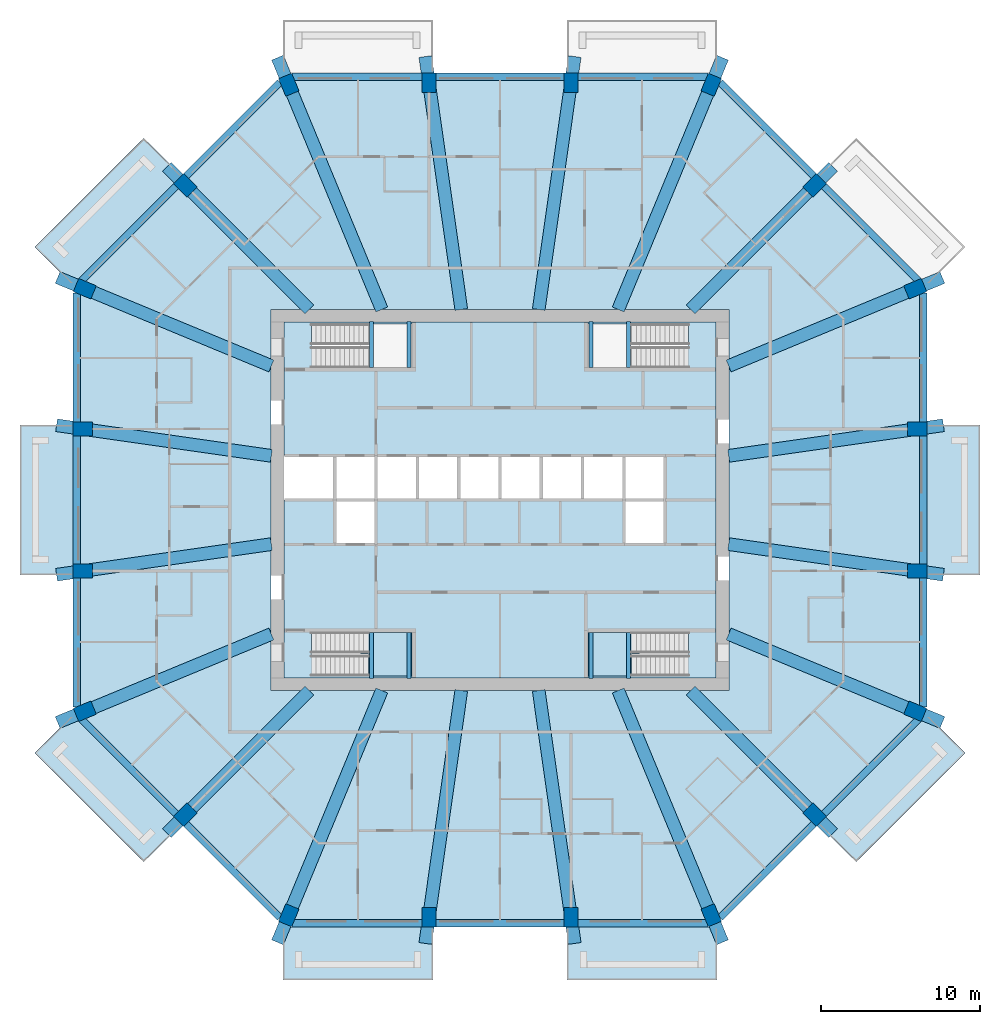
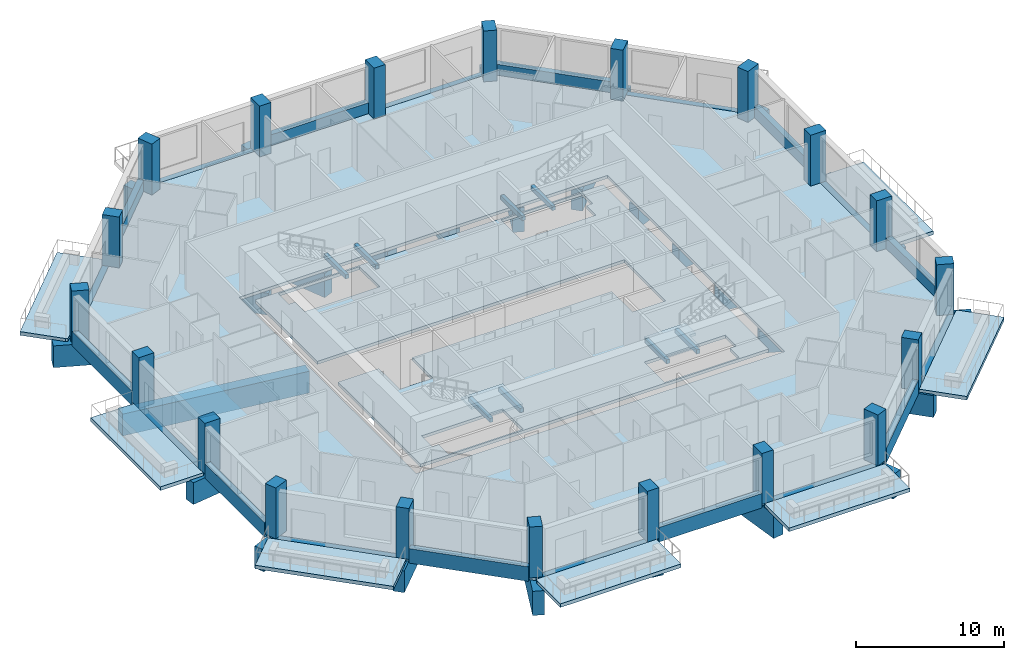
# One storey, part 1 of 13: 48 beams, 20 columns, 11 slabs, 2 elements without a shape of their own.
"""IFC4 building model written with IfcOpenShell, lengths in metres."""

from ifc_helpers import new_model, si_unit, direction, frame, origin, origin_2d, place, context, subcontext, project, spatial, polyline, rectangle, outline, extrude, material, layer, layer_set, material_profile, profile_set, type_object, element, aggregate, save


model = new_model("IFC4")

# Units and contexts
model_context = context("Model", 3, precision=1e-05, world=origin(), true_north=direction((0.0, 1.0)))
body_context = subcontext(model_context, "Body", "Model", "MODEL_VIEW")
ifc_project = project(units=[si_unit("LENGTHUNIT", "METRE"), si_unit("AREAUNIT", "SQUARE_METRE"), si_unit("VOLUMEUNIT", "CUBIC_METRE"), si_unit("PLANEANGLEUNIT", "RADIAN"), si_unit("MASSUNIT", "GRAM", prefix="KILO")], contexts=[model_context])

# Site, building, storey
site_placement = place(None, origin())
site = spatial("IfcSite", under=ifc_project, at=site_placement, CompositionType="ELEMENT")
building_placement = place(site_placement, origin())
building = spatial("IfcBuilding", under=site, at=building_placement, Name="Msitu Wima Residences", CompositionType="ELEMENT")
storey_placement = place(building_placement, frame((0.0, 0.0, 106.5)))
storey = spatial("IfcBuildingStorey", under=building, at=storey_placement, Name="L24", CompositionType="ELEMENT", Elevation=106.5)

# Columns
ifc_material_1 = material(Name="Concrete C70/85", Category="concrete")
ifc_material_profile_1 = material_profile(ifc_material_1, rectangle(XDim=0.89990234375, YDim=1.199951171875, at=origin_2d()), Name="RC 900x1200")
ifc_profile_set_1 = profile_set([ifc_material_profile_1], Name="Concrete C70/85")
column_type = type_object("IfcColumnType", Name="Column RC 900x1200 Concrete C70/85", PredefinedType="COLUMN", material=ifc_profile_set_1)
for number, where, z_axis, x_axis, name in (
    (1, (26.12353515625, -13.291259765625, 0.0), (0.0, 0.0, 1.0), (0.382683496864, 0.923879505795, 0.0), "Column L24 C-E0"),
    (2, (26.25, -4.46875, 0.0), (0.0, 0.0, 1.0), (0.0, 1.0, 0.0), "Column L24 C-E1"),
    (3, (26.25, 4.46875, 0.0), (0.0, 0.0, 1.0), (0.0, 1.0, 0.0), "Column L24 C-E2"),
    (4, (26.12353515625, 13.291259765625, 0.0), (0.0, 0.0, 1.0), (-0.382683496864, 0.923879505795, 0.0), "Column L24 C-NE0"),
    (5, (19.796875, 19.796875, 0.0), (0.0, 0.0, 1.0), (-0.707106781187, 0.707106781187, 0.0), "Column L24 C-NE1"),
    (6, (13.291259765625, 26.12353515625, 0.0), (0.0, 0.0, 1.0), (-0.923879505795, 0.382683496864, 0.0), "Column L24 C-N0"),
    (7, (4.46875, 26.25, 0.0), (0.0, 0.0, 1.0), (-1.0, 0.0, 0.0), "Column L24 C-N1"),
    (8, (-4.46875, 26.25, 0.0), (0.0, 0.0, 1.0), (-1.0, 0.0, 0.0), "Column L24 C-N2"),
    (9, (-13.291259765625, 26.12353515625, 0.0), (0.0, 0.0, 1.0), (-0.923879505795, -0.382683496864, 0.0), "Column L24 C-NW0"),
    (10, (-19.796875, 19.796875, 0.0), (0.0, 0.0, 1.0), (-0.707106781187, -0.707106781187, 0.0), "Column L24 C-NW1"),
    (11, (-26.12353515625, 13.291259765625, 0.0), (0.0, 0.0, 1.0), (-0.382683496864, -0.923879505795, 0.0), "Column L24 C-W0"),
    (12, (-26.25, 4.46875, 0.0), (0.0, 0.0, 1.0), (0.0, -1.0, 0.0), "Column L24 C-W1"),
    (13, (-26.25, -4.46875, 0.0), (0.0, 0.0, 1.0), (0.0, -1.0, 0.0), "Column L24 C-W2"),
    (14, (-26.12353515625, -13.291259765625, 0.0), (0.0, 0.0, 1.0), (0.382683496864, -0.923879505795, 0.0), "Column L24 C-SW0"),
    (15, (-19.796875, -19.796875, 0.0), (0.0, 0.0, 1.0), (0.707106781187, -0.707106781187, 0.0), "Column L24 C-SW1"),
    (16, (-13.291259765625, -26.12353515625, 0.0), (0.0, 0.0, 1.0), (0.923879505795, -0.382683496864, 0.0), "Column L24 C-S0"),
    (17, (-4.46875, -26.25, 0.0), (0.0, 0.0, 1.0), (1.0, 0.0, 0.0), "Column L24 C-S1"),
    (18, (4.46875, -26.25, 0.0), (0.0, 0.0, 1.0), (1.0, 0.0, 0.0), "Column L24 C-S2"),
    (19, (13.291259765625, -26.12353515625, 0.0), (0.0, 0.0, 1.0), (0.923879505795, 0.382683496864, 0.0), "Column L24 C-SE0"),
    (20, (19.796875, -19.796875, 0.0), (0.0, 0.0, 1.0), (0.707106781187, 0.707106781187, 0.0), "Column L24 C-SE1"),
):
    element("IfcColumn", number, at=place(storey_placement, frame(where, z_axis=z_axis, x_axis=x_axis)), inside=storey, type_object=column_type, Name=name, PredefinedType="COLUMN", context=body_context, shape_type="SweptSolid", body=[
        extrude(rectangle(XDim=0.89990234375, YDim=1.199951171875, at=origin_2d()), origin(), (0.0, 0.0, 1.0), 4.199951171875),
    ])

# Beams
ifc_material_2 = material(Name="Concrete C50/60", Category="concrete")
ifc_material_profile_2 = material_profile(ifc_material_2, rectangle(XDim=0.449951171875, YDim=0.300048828125, at=origin_2d()), Name="RC 450x300")
ifc_profile_set_2 = profile_set([ifc_material_profile_2], Name="Concrete C50/60")
beam_type_1 = type_object("IfcBeamType", Name="Edge beam RC 450x300 Concrete C50/60", PredefinedType="SPANDREL", material=ifc_profile_set_2)
beam_1_placement = place(storey_placement, frame((26.625, -4.130126953125, -0.14990234375), z_axis=(0.0, 1.0, 0.0), x_axis=(-1.0, 0.0, 0.0)))
element("IfcBeam", 21, at=beam_1_placement, inside=storey, type_object=beam_type_1, Name="Spandrel L24 E1", PredefinedType="SPANDREL", context=body_context, shape_type="SweptSolid", body=[
    extrude(rectangle(XDim=0.449951171875, YDim=0.300048828125, at=origin_2d()), origin(), (0.0, 0.0, 1.0), 8.26025390625),
])
beam_2_placement = place(storey_placement, frame((26.327392578125, 13.796630859375, -0.14990234375), z_axis=(-0.707106781187, 0.707106781187, 0.0), x_axis=(-0.707106781187, -0.707106781187, 0.0)))
element("IfcBeam", 22, at=beam_2_placement, inside=storey, type_object=beam_type_1, Name="Spandrel L24 NE0", PredefinedType="SPANDREL", context=body_context, shape_type="SweptSolid", body=[
    extrude(rectangle(XDim=0.449951171875, YDim=0.300048828125, at=origin_2d()), origin(), (0.0, 0.0, 1.0), 8.472412109375),
])
for number, where, z_axis, x_axis, name in (
    (23, (13.078125, 26.625, -0.14990234375), (-1.0, 0.0, 0.0), (0.0, -1.0, 0.0), "Spandrel L24 N0"),
    (24, (-4.918701171875, 26.625, -0.14990234375), (-1.0, 0.0, 0.0), (0.0, -1.0, 0.0), "Spandrel L24 N2"),
):
    element("IfcBeam", number, at=place(storey_placement, frame(where, z_axis=z_axis, x_axis=x_axis)), inside=storey, type_object=beam_type_1, Name=name, PredefinedType="SPANDREL", context=body_context, shape_type="SweptSolid", body=[
        extrude(rectangle(XDim=0.449951171875, YDim=0.300048828125, at=origin_2d()), origin(), (0.0, 0.0, 1.0), 8.159423828125),
    ])
beam_3_placement = place(storey_placement, frame((-20.33642578125, 19.78759765625, -0.14990234375), z_axis=(-0.707106781187, -0.707106781187, 0.0), x_axis=(0.707106781187, -0.707106781187, 0.0)))
element("IfcBeam", 25, at=beam_3_placement, inside=storey, type_object=beam_type_1, Name="Spandrel L24 NW1", PredefinedType="SPANDREL", context=body_context, shape_type="SweptSolid", body=[
    extrude(rectangle(XDim=0.449951171875, YDim=0.300048828125, at=origin_2d()), origin(), (0.0, 0.0, 1.0), 8.472412109375),
])
beam_4_placement = place(storey_placement, frame((-26.625, 4.130126953125, -0.14990234375), z_axis=(0.0, -1.0, 0.0), x_axis=(1.0, 0.0, 0.0)))
element("IfcBeam", 26, at=beam_4_placement, inside=storey, type_object=beam_type_1, Name="Spandrel L24 W1", PredefinedType="SPANDREL", context=body_context, shape_type="SweptSolid", body=[
    extrude(rectangle(XDim=0.449951171875, YDim=0.300048828125, at=origin_2d()), origin(), (0.0, 0.0, 1.0), 8.26025390625),
])
beam_5_placement = place(storey_placement, frame((-26.327392578125, -13.796630859375, -0.14990234375), z_axis=(0.707106781187, -0.707106781187, 0.0), x_axis=(0.707106781187, 0.707106781187, 0.0)))
element("IfcBeam", 27, at=beam_5_placement, inside=storey, type_object=beam_type_1, Name="Spandrel L24 SW0", PredefinedType="SPANDREL", context=body_context, shape_type="SweptSolid", body=[
    extrude(rectangle(XDim=0.449951171875, YDim=0.300048828125, at=origin_2d()), origin(), (0.0, 0.0, 1.0), 8.472412109375),
])
for number, where, z_axis, x_axis, name in (
    (28, (-13.078125, -26.625, -0.14990234375), (1.0, 0.0, 0.0), (0.0, 1.0, 0.0), "Spandrel L24 S0"),
    (29, (4.918701171875, -26.625, -0.14990234375), (1.0, 0.0, 0.0), (0.0, 1.0, 0.0), "Spandrel L24 S2"),
):
    element("IfcBeam", number, at=place(storey_placement, frame(where, z_axis=z_axis, x_axis=x_axis)), inside=storey, type_object=beam_type_1, Name=name, PredefinedType="SPANDREL", context=body_context, shape_type="SweptSolid", body=[
        extrude(rectangle(XDim=0.449951171875, YDim=0.300048828125, at=origin_2d()), origin(), (0.0, 0.0, 1.0), 8.159423828125),
    ])
beam_6_placement = place(storey_placement, frame((20.33642578125, -19.78759765625, -0.14990234375), z_axis=(0.707106781187, 0.707106781187, 0.0), x_axis=(-0.707106781187, 0.707106781187, 0.0)))
element("IfcBeam", 30, at=beam_6_placement, inside=storey, type_object=beam_type_1, Name="Spandrel L24 SE1", PredefinedType="SPANDREL", context=body_context, shape_type="SweptSolid", body=[
    extrude(rectangle(XDim=0.449951171875, YDim=0.300048828125, at=origin_2d()), origin(), (0.0, 0.0, 1.0), 8.472412109375),
])
ifc_material_3 = material(Name="Concrete C40/50", Category="concrete")
ifc_material_profile_3 = material_profile(ifc_material_3, rectangle(XDim=0.25, YDim=0.35009765625, at=origin_2d()), Name="RC 250x350")
ifc_profile_set_3 = profile_set([ifc_material_profile_3], Name="Concrete C40/50")
beam_type_2 = type_object("IfcBeamType", Name="Landing beam RC 250x350", PredefinedType="BEAM", material=ifc_profile_set_3)
for number, where, z_axis, x_axis, name in (
    (31, (-8.074951171875, 8.324951171875, 1.72509765625), (0.0, 1.0, 0.0), (-1.0, 0.0, 0.0), "Stair 1 landing beam"),
    (32, (-5.72509765625, 8.324951171875, 1.72509765625), (0.0, 1.0, 0.0), (-1.0, 0.0, 0.0), "Stair 1 landing beam"),
    (33, (-8.074951171875, -11.22509765625, 1.72509765625), (0.0, 1.0, 0.0), (-1.0, 0.0, 0.0), "Stair 2 landing beam"),
    (34, (-5.72509765625, -11.22509765625, 1.72509765625), (0.0, 1.0, 0.0), (-1.0, 0.0, 0.0), "Stair 2 landing beam"),
    (35, (8.074951171875, 8.324951171875, 1.72509765625), (0.0, 1.0, 0.0), (-1.0, 0.0, 0.0), "Stair 3 landing beam"),
    (36, (5.72509765625, 8.324951171875, 1.72509765625), (0.0, 1.0, 0.0), (-1.0, 0.0, 0.0), "Stair 3 landing beam"),
    (37, (8.074951171875, -11.22509765625, 1.72509765625), (0.0, 1.0, 0.0), (-1.0, 0.0, 0.0), "Stair 4 landing beam"),
    (38, (5.72509765625, -11.22509765625, 1.72509765625), (0.0, 1.0, 0.0), (-1.0, 0.0, 0.0), "Stair 4 landing beam"),
):
    element("IfcBeam", number, at=place(storey_placement, frame(where, z_axis=z_axis, x_axis=x_axis)), inside=storey, type_object=beam_type_2, Name=name, PredefinedType="BEAM", context=body_context, shape_type="SweptSolid", body=[
        extrude(rectangle(XDim=0.25, YDim=0.35009765625, at=origin_2d()), origin(), (0.0, 0.0, 1.0), 2.900146484375),
    ])
ifc_material_profile_4 = material_profile(ifc_material_2, rectangle(XDim=0.449951171875, YDim=1.199951171875, at=origin_2d()), Name="RC 450x1200")
ifc_profile_set_4 = profile_set([ifc_material_profile_4], Name="Concrete C50/60")
beam_type_3 = type_object("IfcBeamType", Name="Spandrel RC 450x1200 Concrete C50/60", PredefinedType="SPANDREL", material=ifc_profile_set_4)
for number, where, z_axis, x_axis, name in (
    (39, (26.625, -13.02392578125, 0.300048828125), (0.0, 1.0, 0.0), (-1.0, 0.0, 0.0), "Spandrel L24 E0"),
    (40, (26.625, 4.918701171875, 0.300048828125), (0.0, 1.0, 0.0), (-1.0, 0.0, 0.0), "Spandrel L24 E2"),
):
    element("IfcBeam", number, at=place(storey_placement, frame(where, z_axis=z_axis, x_axis=x_axis)), inside=storey, type_object=beam_type_3, Name=name, PredefinedType="SPANDREL", context=body_context, shape_type="SweptSolid", body=[
        extrude(rectangle(XDim=0.449951171875, YDim=1.199951171875, at=origin_2d()), origin(), (0.0, 0.0, 1.0), 8.105224609375),
    ])
beam_7_placement = place(storey_placement, frame((19.743896484375, 20.380126953125, 0.300048828125), z_axis=(-0.707106781187, 0.707106781187, 0.0), x_axis=(-0.707106781187, -0.707106781187, 0.0)))
element("IfcBeam", 41, at=beam_7_placement, inside=storey, type_object=beam_type_3, Name="Spandrel L24 NE1", PredefinedType="SPANDREL", context=body_context, shape_type="SweptSolid", body=[
    extrude(rectangle(XDim=0.449951171875, YDim=1.199951171875, at=origin_2d()), origin(), (0.0, 0.0, 1.0), 8.3564453125),
])
beam_8_placement = place(storey_placement, frame((4.0185546875, 26.625, 0.300048828125), z_axis=(-1.0, 0.0, 0.0), x_axis=(0.0, -1.0, 0.0)))
element("IfcBeam", 42, at=beam_8_placement, inside=storey, type_object=beam_type_3, Name="Spandrel L24 N1", PredefinedType="SPANDREL", context=body_context, shape_type="SweptSolid", body=[
    extrude(rectangle(XDim=0.449951171875, YDim=1.199951171875, at=origin_2d()), origin(), (0.0, 0.0, 1.0), 8.037109375),
])
beam_9_placement = place(storey_placement, frame((-13.8349609375, 26.2890625, 0.300048828125), z_axis=(-0.707106781187, -0.707106781187, 0.0), x_axis=(0.707106781187, -0.707106781187, 0.0)))
element("IfcBeam", 43, at=beam_9_placement, inside=storey, type_object=beam_type_3, Name="Spandrel L24 NW0", PredefinedType="SPANDREL", context=body_context, shape_type="SweptSolid", body=[
    extrude(rectangle(XDim=0.449951171875, YDim=1.199951171875, at=origin_2d()), origin(), (0.0, 0.0, 1.0), 8.3564453125),
])
for number, where, z_axis, x_axis, name in (
    (44, (-26.625, 13.02392578125, 0.300048828125), (0.0, -1.0, 0.0), (1.0, 0.0, 0.0), "Spandrel L24 W0"),
    (45, (-26.625, -4.918701171875, 0.300048828125), (0.0, -1.0, 0.0), (1.0, 0.0, 0.0), "Spandrel L24 W2"),
):
    element("IfcBeam", number, at=place(storey_placement, frame(where, z_axis=z_axis, x_axis=x_axis)), inside=storey, type_object=beam_type_3, Name=name, PredefinedType="SPANDREL", context=body_context, shape_type="SweptSolid", body=[
        extrude(rectangle(XDim=0.449951171875, YDim=1.199951171875, at=origin_2d()), origin(), (0.0, 0.0, 1.0), 8.105224609375),
    ])
beam_10_placement = place(storey_placement, frame((-19.743896484375, -20.380126953125, 0.300048828125), z_axis=(0.707106781187, -0.707106781187, 0.0), x_axis=(0.707106781187, 0.707106781187, 0.0)))
element("IfcBeam", 46, at=beam_10_placement, inside=storey, type_object=beam_type_3, Name="Spandrel L24 SW1", PredefinedType="SPANDREL", context=body_context, shape_type="SweptSolid", body=[
    extrude(rectangle(XDim=0.449951171875, YDim=1.199951171875, at=origin_2d()), origin(), (0.0, 0.0, 1.0), 8.3564453125),
])
beam_11_placement = place(storey_placement, frame((-4.0185546875, -26.625, 0.300048828125), z_axis=(1.0, 0.0, 0.0), x_axis=(0.0, 1.0, 0.0)))
element("IfcBeam", 47, at=beam_11_placement, inside=storey, type_object=beam_type_3, Name="Spandrel L24 S1", PredefinedType="SPANDREL", context=body_context, shape_type="SweptSolid", body=[
    extrude(rectangle(XDim=0.449951171875, YDim=1.199951171875, at=origin_2d()), origin(), (0.0, 0.0, 1.0), 8.037109375),
])
beam_12_placement = place(storey_placement, frame((13.8349609375, -26.2890625, 0.300048828125), z_axis=(0.707106781187, 0.707106781187, 0.0), x_axis=(-0.707106781187, 0.707106781187, 0.0)))
element("IfcBeam", 48, at=beam_12_placement, inside=storey, type_object=beam_type_3, Name="Spandrel L24 SE0", PredefinedType="SPANDREL", context=body_context, shape_type="SweptSolid", body=[
    extrude(rectangle(XDim=0.449951171875, YDim=1.199951171875, at=origin_2d()), origin(), (0.0, 0.0, 1.0), 8.3564453125),
])
ifc_material_4 = material(Name="Concrete C80/95", Category="concrete")
ifc_material_profile_5 = material_profile(ifc_material_4, rectangle(XDim=0.800048828125, YDim=1.800048828125, at=origin_2d()), Name="RC 800x1800")
ifc_profile_set_5 = profile_set([ifc_material_profile_5], Name="Concrete C80/95")
beam_type_4 = type_object("IfcBeamType", Name="Transfer girder TG1 RC 800x1800 Concrete C80/95", PredefinedType="BEAM", material=ifc_profile_set_5)
beam_13_placement = place(storey_placement, frame((27.83056640625, -13.99853515625, -1.14990234375), z_axis=(-0.923875712389, 0.382692654826, 0.0), x_axis=(-0.382692654826, -0.923875712389, 0.0)))
element("IfcBeam", 49, at=beam_13_placement, inside=storey, type_object=beam_type_4, Name="Transfer girder L24 C-E0", PredefinedType="BEAM", context=body_context, shape_type="SweptSolid", body=[
    extrude(rectangle(XDim=0.800048828125, YDim=1.800048828125, at=origin_2d()), origin(), (0.0, 0.0, 1.0), 14.54931640625),
])
for number, where, z_axis, x_axis, name in (
    (50, (27.89990234375, -4.703857421875, -1.14990234375), (-0.989995235124, 0.141100795292, 0.0), (-0.141100795292, -0.989995235124, 0.0), "Transfer girder L24 C-E1"),
    (51, (27.89990234375, 4.703857421875, -1.14990234375), (-0.989995235124, -0.141100795292, 0.0), (0.141100795292, -0.989995235124, 0.0), "Transfer girder L24 C-E2"),
):
    element("IfcBeam", number, at=place(storey_placement, frame(where, z_axis=z_axis, x_axis=x_axis)), inside=storey, type_object=beam_type_4, Name=name, PredefinedType="BEAM", context=body_context, shape_type="SweptSolid", body=[
        extrude(rectangle(XDim=0.800048828125, YDim=1.800048828125, at=origin_2d()), origin(), (0.0, 0.0, 1.0), 13.648193359375),
    ])
beam_14_placement = place(storey_placement, frame((27.83056640625, 13.99853515625, -1.14990234375), z_axis=(-0.923875712389, -0.382692654826, 0.0), x_axis=(0.382692654826, -0.923875712389, 0.0)))
element("IfcBeam", 52, at=beam_14_placement, inside=storey, type_object=beam_type_4, Name="Transfer girder L24 C-NE0", PredefinedType="BEAM", context=body_context, shape_type="SweptSolid", body=[
    extrude(rectangle(XDim=0.800048828125, YDim=1.800048828125, at=origin_2d()), origin(), (0.0, 0.0, 1.0), 14.54931640625),
])
for number, where, z_axis, x_axis, name in (
    (53, (20.963623046875, 20.963623046875, -1.14990234375), (-0.707106781187, -0.707106781187, 0.0), (0.707106781187, -0.707106781187, 0.0), "Transfer girder L24 C-NE1"),
    (54, (-20.963623046875, 20.963623046875, -1.14990234375), (0.707106781187, -0.707106781187, 0.0), (0.707106781187, 0.707106781187, 0.0), "Transfer girder L24 C-NW1"),
):
    element("IfcBeam", number, at=place(storey_placement, frame(where, z_axis=z_axis, x_axis=x_axis)), inside=storey, type_object=beam_type_4, Name=name, PredefinedType="BEAM", context=body_context, shape_type="SweptSolid", body=[
        extrude(rectangle(XDim=0.800048828125, YDim=1.800048828125, at=origin_2d()), origin(), (0.0, 0.0, 1.0), 12.6884765625),
    ])
beam_15_placement = place(storey_placement, frame((-27.83056640625, 13.99853515625, -1.14990234375), z_axis=(0.923875712389, -0.382692654826, 0.0), x_axis=(0.382692654826, 0.923875712389, 0.0)))
element("IfcBeam", 55, at=beam_15_placement, inside=storey, type_object=beam_type_4, Name="Transfer girder L24 C-W0", PredefinedType="BEAM", context=body_context, shape_type="SweptSolid", body=[
    extrude(rectangle(XDim=0.800048828125, YDim=1.800048828125, at=origin_2d()), origin(), (0.0, 0.0, 1.0), 14.54931640625),
])
for number, where, z_axis, x_axis, name in (
    (56, (-27.89990234375, 4.703857421875, -1.14990234375), (0.989995235124, -0.141100795292, 0.0), (0.141100795292, 0.989995235124, 0.0), "Transfer girder L24 C-W1"),
    (57, (-27.89990234375, -4.703857421875, -1.14990234375), (0.989995235124, 0.141100795292, 0.0), (-0.141100795292, 0.989995235124, 0.0), "Transfer girder L24 C-W2"),
):
    element("IfcBeam", number, at=place(storey_placement, frame(where, z_axis=z_axis, x_axis=x_axis)), inside=storey, type_object=beam_type_4, Name=name, PredefinedType="BEAM", context=body_context, shape_type="SweptSolid", body=[
        extrude(rectangle(XDim=0.800048828125, YDim=1.800048828125, at=origin_2d()), origin(), (0.0, 0.0, 1.0), 13.648193359375),
    ])
beam_16_placement = place(storey_placement, frame((-27.83056640625, -13.99853515625, -1.14990234375), z_axis=(0.923875712389, 0.382692654826, 0.0), x_axis=(-0.382692654826, 0.923875712389, 0.0)))
element("IfcBeam", 58, at=beam_16_placement, inside=storey, type_object=beam_type_4, Name="Transfer girder L24 C-SW0", PredefinedType="BEAM", context=body_context, shape_type="SweptSolid", body=[
    extrude(rectangle(XDim=0.800048828125, YDim=1.800048828125, at=origin_2d()), origin(), (0.0, 0.0, 1.0), 14.54931640625),
])
for number, where, z_axis, x_axis, name in (
    (59, (-20.963623046875, -20.963623046875, -1.14990234375), (0.707106781187, 0.707106781187, 0.0), (-0.707106781187, 0.707106781187, 0.0), "Transfer girder L24 C-SW1"),
    (60, (20.963623046875, -20.963623046875, -1.14990234375), (-0.707106781187, 0.707106781187, 0.0), (-0.707106781187, -0.707106781187, 0.0), "Transfer girder L24 C-SE1"),
):
    element("IfcBeam", number, at=place(storey_placement, frame(where, z_axis=z_axis, x_axis=x_axis)), inside=storey, type_object=beam_type_4, Name=name, PredefinedType="BEAM", context=body_context, shape_type="SweptSolid", body=[
        extrude(rectangle(XDim=0.800048828125, YDim=1.800048828125, at=origin_2d()), origin(), (0.0, 0.0, 1.0), 12.6884765625),
    ])
ifc_material_profile_6 = material_profile(ifc_material_4, rectangle(XDim=0.800048828125, YDim=2.0, at=origin_2d()), Name="RC 800x2000")
ifc_profile_set_6 = profile_set([ifc_material_profile_6], Name="Concrete C80/95")
beam_type_5 = type_object("IfcBeamType", Name="Transfer girder TG2 RC 800x2000 Concrete C80/95", PredefinedType="BEAM", material=ifc_profile_set_6)
beam_17_placement = place(storey_placement, frame((13.99853515625, 27.83056640625, -1.25), z_axis=(-0.382694668806, -0.923874878145, 0.0), x_axis=(0.923874878145, -0.382694668806, 0.0)))
element("IfcBeam", 61, at=beam_17_placement, inside=storey, type_object=beam_type_5, Name="Transfer girder L24 C-N0", PredefinedType="BEAM", context=body_context, shape_type="SweptSolid", body=[
    extrude(rectangle(XDim=0.800048828125, YDim=2.0, at=origin_2d()), origin(), (0.0, 0.0, 1.0), 17.14697265625),
])
for number, where, z_axis, x_axis, name in (
    (62, (4.703857421875, 27.89990234375, -1.25), (-0.141098109623, -0.9899956179, 0.0), (0.9899956179, -0.141098109623, 0.0), "Transfer girder L24 C-N1"),
    (63, (-4.703857421875, 27.89990234375, -1.25), (0.141098109623, -0.9899956179, 0.0), (0.9899956179, 0.141098109623, 0.0), "Transfer girder L24 C-N2"),
):
    element("IfcBeam", number, at=place(storey_placement, frame(where, z_axis=z_axis, x_axis=x_axis)), inside=storey, type_object=beam_type_5, Name=name, PredefinedType="BEAM", context=body_context, shape_type="SweptSolid", body=[
        extrude(rectangle(XDim=0.800048828125, YDim=2.0, at=origin_2d()), origin(), (0.0, 0.0, 1.0), 16.07275390625),
    ])
for number, where, z_axis, x_axis, name in (
    (64, (-13.99853515625, 27.83056640625, -1.25), (0.382694668806, -0.923874878145, 0.0), (0.923874878145, 0.382694668806, 0.0), "Transfer girder L24 C-NW0"),
    (65, (-13.99853515625, -27.83056640625, -1.25), (0.382694668806, 0.923874878145, 0.0), (-0.923874878145, 0.382694668806, 0.0), "Transfer girder L24 C-S0"),
):
    element("IfcBeam", number, at=place(storey_placement, frame(where, z_axis=z_axis, x_axis=x_axis)), inside=storey, type_object=beam_type_5, Name=name, PredefinedType="BEAM", context=body_context, shape_type="SweptSolid", body=[
        extrude(rectangle(XDim=0.800048828125, YDim=2.0, at=origin_2d()), origin(), (0.0, 0.0, 1.0), 17.14697265625),
    ])
for number, where, z_axis, x_axis, name in (
    (66, (-4.703857421875, -27.89990234375, -1.25), (0.141098109623, 0.9899956179, 0.0), (-0.9899956179, 0.141098109623, 0.0), "Transfer girder L24 C-S1"),
    (67, (4.703857421875, -27.89990234375, -1.25), (-0.141098109623, 0.9899956179, 0.0), (-0.9899956179, -0.141098109623, 0.0), "Transfer girder L24 C-S2"),
):
    element("IfcBeam", number, at=place(storey_placement, frame(where, z_axis=z_axis, x_axis=x_axis)), inside=storey, type_object=beam_type_5, Name=name, PredefinedType="BEAM", context=body_context, shape_type="SweptSolid", body=[
        extrude(rectangle(XDim=0.800048828125, YDim=2.0, at=origin_2d()), origin(), (0.0, 0.0, 1.0), 16.07275390625),
    ])
beam_18_placement = place(storey_placement, frame((13.99853515625, -27.83056640625, -1.25), z_axis=(-0.382694668806, 0.923874878145, 0.0), x_axis=(-0.923874878145, -0.382694668806, 0.0)))
element("IfcBeam", 68, at=beam_18_placement, inside=storey, type_object=beam_type_5, Name="Transfer girder L24 C-SE0", PredefinedType="BEAM", context=body_context, shape_type="SweptSolid", body=[
    extrude(rectangle(XDim=0.800048828125, YDim=2.0, at=origin_2d()), origin(), (0.0, 0.0, 1.0), 17.14697265625),
])

# Slabs
ifc_layer_1 = layer(ifc_material_3, 0.300048828125)
ifc_layer_set_1 = layer_set([ifc_layer_1], Name="Concrete C40/50")
slab_type_1 = type_object("IfcSlabType", Name="Balcony slab BS300", PredefinedType="FLOOR", material=ifc_layer_set_1)
slab_1_placement = place(storey_placement, frame((0.0, 0.0, -0.300048828125)))
element("IfcSlab", 69, at=slab_1_placement, inside=storey, type_object=slab_type_1, Name="Balcony E1 L24", PredefinedType="FLOOR", context=body_context, shape_type="SweptSolid", body=[
    extrude(outline(polyline([(26.85009765625, 4.0185546875), (26.85009765625, 4.0185546875), (26.85009765625, 4.71875), (30.199951171875, 4.71875), (30.199951171875, -4.71875), (26.85009765625, -4.71875), (26.85009765625, -4.0185546875), (26.85009765625, -4.0185546875), (26.85009765625, 4.0185546875)])), origin(), (0.0, 0.0, 1.0), 0.300048828125),
])
slab_2_placement = place(storey_placement, frame((0.0, 0.0, -0.300048828125)))
element("IfcSlab", 70, at=slab_2_placement, inside=storey, type_object=slab_type_1, Name="Balcony NW1 L24", PredefinedType="FLOOR", context=body_context, shape_type="SweptSolid", body=[
    extrude(outline(polyline([(-29.263671875, 15.916015625), (-22.4130859375, 22.766845703125), (-20.04443359375, 20.39794921875), (-26.85009765625, 13.59228515625), (-27.003662109375, 13.656005859375), (-29.263671875, 15.916015625)])), origin(), (0.0, 0.0, 1.0), 0.300048828125),
])
slab_3_placement = place(storey_placement, frame((0.0, 0.0, -0.300048828125)))
element("IfcSlab", 71, at=slab_3_placement, inside=storey, type_object=slab_type_1, Name="Balcony W1 L24", PredefinedType="FLOOR", context=body_context, shape_type="SweptSolid", body=[
    extrude(outline(polyline([(-26.85009765625, -4.0185546875), (-26.85009765625, -4.0185546875), (-26.85009765625, -4.71875), (-30.199951171875, -4.71875), (-30.199951171875, 4.71875), (-26.85009765625, 4.71875), (-26.85009765625, 4.0185546875), (-26.85009765625, 4.0185546875), (-26.85009765625, -4.0185546875)])), origin(), (0.0, 0.0, 1.0), 0.300048828125),
])
slab_4_placement = place(storey_placement, frame((0.0, 0.0, -0.300048828125)))
element("IfcSlab", 72, at=slab_4_placement, inside=storey, type_object=slab_type_1, Name="Balcony SW0 L24", PredefinedType="FLOOR", context=body_context, shape_type="SweptSolid", body=[
    extrude(outline(polyline([(-22.4130859375, -22.766845703125), (-29.263671875, -15.916015625), (-27.003662109375, -13.656005859375), (-26.85009765625, -13.59228515625), (-20.04443359375, -20.39794921875), (-22.4130859375, -22.766845703125)])), origin(), (0.0, 0.0, 1.0), 0.300048828125),
])
slab_5_placement = place(storey_placement, frame((0.0, 0.0, -0.300048828125)))
element("IfcSlab", 73, at=slab_5_placement, inside=storey, type_object=slab_type_1, Name="Balcony S0 L24", PredefinedType="FLOOR", context=body_context, shape_type="SweptSolid", body=[
    extrude(outline(polyline([(-13.105224609375, -26.85009765625), (-13.105224609375, -26.85009765625), (-4.918701171875, -26.85009765625), (-4.918701171875, -26.85009765625), (-4.21875, -26.85009765625), (-4.21875, -30.199951171875), (-13.656005859375, -30.199951171875), (-13.656005859375, -27.003662109375), (-13.59228515625, -26.85009765625), (-13.105224609375, -26.85009765625), (-13.105224609375, -26.85009765625)])), origin(), (0.0, 0.0, 1.0), 0.300048828125),
])
slab_6_placement = place(storey_placement, frame((0.0, 0.0, -0.300048828125)))
element("IfcSlab", 74, at=slab_6_placement, inside=storey, type_object=slab_type_1, Name="Balcony S2 L24", PredefinedType="FLOOR", context=body_context, shape_type="SweptSolid", body=[
    extrude(outline(polyline([(13.105224609375, -26.85009765625), (13.105224609375, -26.85009765625), (13.59228515625, -26.85009765625), (13.656005859375, -27.003662109375), (13.656005859375, -30.199951171875), (4.21875, -30.199951171875), (4.21875, -26.85009765625), (4.918701171875, -26.85009765625), (4.918701171875, -26.85009765625), (13.105224609375, -26.85009765625), (13.105224609375, -26.85009765625)])), origin(), (0.0, 0.0, 1.0), 0.300048828125),
])
slab_7_placement = place(storey_placement, frame((0.0, 0.0, -0.300048828125)))
element("IfcSlab", 75, at=slab_7_placement, inside=storey, type_object=slab_type_1, Name="Balcony SE1 L24", PredefinedType="FLOOR", context=body_context, shape_type="SweptSolid", body=[
    extrude(outline(polyline([(29.263671875, -15.916015625), (22.4130859375, -22.766845703125), (20.04443359375, -20.39794921875), (26.85009765625, -13.59228515625), (27.003662109375, -13.656005859375), (29.263671875, -15.916015625)])), origin(), (0.0, 0.0, 1.0), 0.300048828125),
])
ifc_layer_2 = layer(ifc_material_3, 0.25)
ifc_layer_set_2 = layer_set([ifc_layer_2], Name="Concrete C40/50")
slab_type_2 = type_object("IfcSlabType", Name="Core floor CF250", PredefinedType="FLOOR", material=ifc_layer_set_2)
slab_8_placement = place(storey_placement, frame((0.0, 0.0, -0.25)))
element("IfcSlab", 76, at=slab_8_placement, inside=storey, type_object=slab_type_2, Name="Core floor", PredefinedType="FLOOR", context=body_context, shape_type="SweptSolid", body=[
    extrude(outline(polyline([(-13.60009765625, 11.199951171875), (-13.60009765625, 2.800048828125), (-10.39990234375, 2.800048828125), (-7.800048828125, 2.800048828125), (-5.199951171875, 2.800048828125), (-2.60009765625, 2.800048828125), (0.0, 2.800048828125), (2.60009765625, 2.800048828125), (5.199951171875, 2.800048828125), (7.800048828125, 2.800048828125), (10.39990234375, 2.800048828125), (10.39990234375, 0.0), (10.39990234375, -2.800048828125), (7.800048828125, -2.800048828125), (7.800048828125, 0.0), (5.199951171875, 0.0), (2.60009765625, 0.0), (0.0, 0.0), (-2.60009765625, 0.0), (-5.199951171875, 0.0), (-7.800048828125, 0.0), (-7.800048828125, -2.800048828125), (-10.39990234375, -2.800048828125), (-10.39990234375, 0.0), (-13.60009765625, 0.0), (-13.60009765625, -11.199951171875), (13.60009765625, -11.199951171875), (13.60009765625, 11.199951171875), (-13.60009765625, 11.199951171875)]), holes=[polyline([(-11.375, -11.074951171875), (-11.375, -9.77490234375), (-11.87451171875, -9.77490234375), (-11.87451171875, -8.324951171875), (-5.52490234375, -8.324951171875), (-5.52490234375, -11.074951171875), (-11.375, -11.074951171875)]), polyline([(-11.375, 9.625), (-11.87451171875, 9.625), (-11.87451171875, 11.074951171875), (-5.52490234375, 11.074951171875), (-5.52490234375, 8.324951171875), (-11.375, 8.324951171875), (-11.375, 9.625)]), polyline([(11.375, -9.77490234375), (11.375, -11.074951171875), (5.52490234375, -11.074951171875), (5.52490234375, -8.324951171875), (11.87451171875, -8.324951171875), (11.87451171875, -9.77490234375), (11.375, -9.77490234375)]), polyline([(11.375, 9.625), (11.375, 8.324951171875), (5.52490234375, 8.324951171875), (5.52490234375, 11.074951171875), (11.87451171875, 11.074951171875), (11.87451171875, 9.625), (11.375, 9.625)])]), origin(), (0.0, 0.0, 1.0), 0.25),
])
ifc_layer_3 = layer(ifc_material_3, 0.25)
ifc_layer_set_3 = layer_set([ifc_layer_3], Name="Concrete C40/50")
slab_type_3 = type_object("IfcSlabType", Name="PT flat slab 250 Concrete C40/50", PredefinedType="FLOOR", material=ifc_layer_set_3)
slab_9_placement = place(storey_placement, frame((0.0, 0.0, -0.25)))
element("IfcSlab", 77, at=slab_9_placement, inside=storey, type_object=slab_type_3, Name="Floor slab L24", PredefinedType="FLOOR", context=body_context, shape_type="SweptSolid", body=[
    extrude(outline(polyline([(26.699951171875, -13.5302734375), (13.5302734375, -26.699951171875), (-13.5302734375, -26.699951171875), (-26.699951171875, -13.5302734375), (-26.699951171875, 13.5302734375), (-13.5302734375, 26.699951171875), (13.5302734375, 26.699951171875), (26.699951171875, 13.5302734375), (26.699951171875, -13.5302734375)]), holes=[polyline([(-14.39990234375, -12.0), (14.39990234375, -12.0), (14.39990234375, 12.0), (-14.39990234375, 12.0), (-14.39990234375, -12.0)])]), origin(), (0.0, 0.0, 1.0), 0.25),
])

# Stair, slab
stair_type = type_object("IfcStairType", Name="Exit stair ES1615-130", PredefinedType="HALF_TURN_STAIR", material=ifc_material_3)
stair_1_placement = place(storey_placement, origin())
stair_1 = element("IfcStair", 78, at=stair_1_placement, inside=storey, type_object=stair_type, Name="Exit stair 2", PredefinedType="HALF_TURN_STAIR")
ifc_layer_4 = layer(ifc_material_3, 0.199951171875)
ifc_layer_set_4 = layer_set([ifc_layer_4], Name="Concrete C40/50")
slab_type_4 = type_object("IfcSlabType", Name="Stair landing SL200", PredefinedType="LANDING", material=ifc_layer_set_4)
slab_10_placement = place(storey_placement, frame((0.0, 0.0, 1.89990234375)))
slab_10 = element("IfcSlab", 79, at=slab_10_placement, type_object=slab_type_4, Name="S2 landing 1", PredefinedType="LANDING", context=body_context, shape_type="SweptSolid", body=[
    extrude(outline(polyline([(-5.52490234375, -11.074951171875), (-8.275390625, -11.074951171875), (-8.275390625, -9.699951171875), (-8.77490234375, -9.699951171875), (-8.77490234375, -8.324951171875), (-5.52490234375, -8.324951171875), (-5.52490234375, -11.074951171875)])), origin(), (0.0, 0.0, 1.0), 0.2001953125),
])
aggregate(stair_1, [slab_10])

stair_2_placement = place(storey_placement, origin())
stair_2 = element("IfcStair", 80, at=stair_2_placement, inside=storey, type_object=stair_type, Name="Exit stair 4", PredefinedType="HALF_TURN_STAIR")
slab_11_placement = place(storey_placement, frame((0.0, 0.0, 1.89990234375)))
slab_11 = element("IfcSlab", 81, at=slab_11_placement, type_object=slab_type_4, Name="S4 landing 1", PredefinedType="LANDING", context=body_context, shape_type="SweptSolid", body=[
    extrude(outline(polyline([(5.52490234375, -11.074951171875), (8.275390625, -11.074951171875), (8.275390625, -9.699951171875), (8.77490234375, -9.699951171875), (8.77490234375, -8.324951171875), (5.52490234375, -8.324951171875), (5.52490234375, -11.074951171875)])), origin(), (0.0, 0.0, 1.0), 0.2001953125),
])
aggregate(stair_2, [slab_11])

save(model, "model.ifc")
